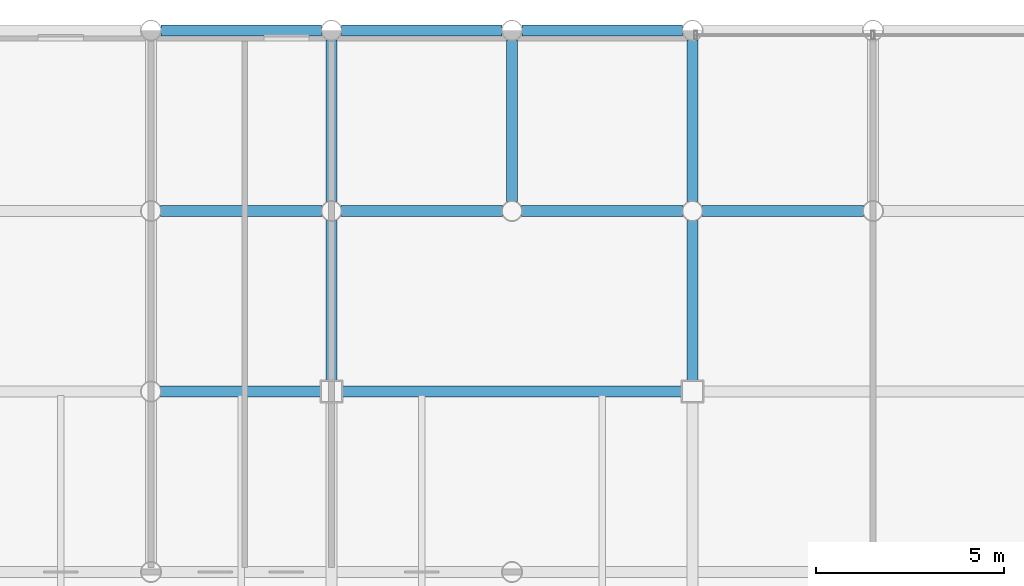
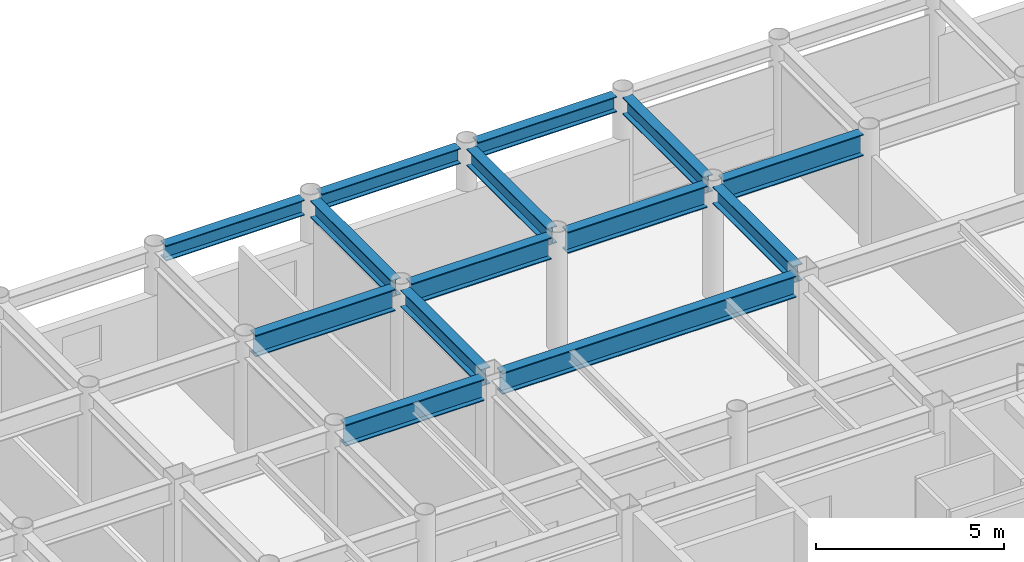
# One storey, part 13 of 22: 14 beams.
"""IFC4 building model written with IfcOpenShell, lengths in metres."""

from ifc_helpers import new_model, si_unit, direction, frame, origin, origin_2d, place, context, subcontext, project, spatial, i_section, extrude, material, material_profile, profile_set, type_object, element, save


model = new_model("IFC4")

# Units and contexts
model_context = context("Model", 3, precision=1e-05, world=origin(), true_north=direction((0.0, 1.0)))
body_context = subcontext(model_context, "Body", "Model", "MODEL_VIEW")
ifc_project = project(units=[si_unit("LENGTHUNIT", "METRE"), si_unit("AREAUNIT", "SQUARE_METRE"), si_unit("VOLUMEUNIT", "CUBIC_METRE"), si_unit("PLANEANGLEUNIT", "RADIAN"), si_unit("MASSUNIT", "GRAM", prefix="KILO")], contexts=[model_context])

# Site, building, storey
site_placement = place(None, origin())
site = spatial("IfcSite", under=ifc_project, at=site_placement, CompositionType="ELEMENT")
building_placement = place(site_placement, origin())
building = spatial("IfcBuilding", under=site, at=building_placement, Name="Kallvorn Hotel Tower", CompositionType="ELEMENT")
storey_placement = place(building_placement, frame((0.0, 0.0, 264.64990234375)))
storey = spatial("IfcBuildingStorey", under=building, at=storey_placement, Name="L66", CompositionType="ELEMENT", Elevation=264.64990234375)

# Beams
ifc_material_1 = material(Name="Structural steel S355JR", Category="steel")
ifc_material_profile_1 = material_profile(ifc_material_1, i_section(OverallWidth=0.300048828125, OverallDepth=0.5, WebThickness=0.014404296875, FlangeThickness=0.028076171875, at=origin_2d()), Name="HE 500 B")
ifc_profile_set_1 = profile_set([ifc_material_profile_1], Name="Structural steel S355JR")
beam_type_1 = type_object("IfcBeamType", Name="BM_HE500B", PredefinedType="SPANDREL", material=ifc_profile_set_1)
beam_1_placement = place(storey_placement, frame((-18.930419921875, 24.0, 3.420166015625), z_axis=(1.0, 0.0, 0.0), x_axis=(0.0, 1.0, 0.0)))
element("IfcBeam", 1, at=beam_1_placement, inside=storey, type_object=beam_type_1, Name="L67 Perimeter Spandrel 165", PredefinedType="SPANDREL", context=body_context, shape_type="SweptSolid", body=[
    extrude(i_section(OverallWidth=0.300048828125, OverallDepth=0.5, WebThickness=0.014404296875, FlangeThickness=0.028076171875, at=origin_2d()), origin(), (0.0, 0.0, 1.0), 4.260986328125),
])
beam_2_placement = place(storey_placement, frame((-14.130615234375, 24.0, 3.420166015625), z_axis=(1.0, 0.0, 0.0), x_axis=(0.0, 1.0, 0.0)))
element("IfcBeam", 2, at=beam_2_placement, inside=storey, type_object=beam_type_1, Name="L67 Perimeter Spandrel 166", PredefinedType="SPANDREL", context=body_context, shape_type="SweptSolid", body=[
    extrude(i_section(OverallWidth=0.300048828125, OverallDepth=0.5, WebThickness=0.014404296875, FlangeThickness=0.028076171875, at=origin_2d()), origin(), (0.0, 0.0, 1.0), 4.26123046875),
])
beam_3_placement = place(storey_placement, frame((-9.33056640625, 24.0, 3.420166015625), z_axis=(1.0, 0.0, 0.0), x_axis=(0.0, 1.0, 0.0)))
element("IfcBeam", 3, at=beam_3_placement, inside=storey, type_object=beam_type_1, Name="L67 Perimeter Spandrel 167", PredefinedType="SPANDREL", context=body_context, shape_type="SweptSolid", body=[
    extrude(i_section(OverallWidth=0.300048828125, OverallDepth=0.5, WebThickness=0.014404296875, FlangeThickness=0.028076171875, at=origin_2d()), origin(), (0.0, 0.0, 1.0), 4.260986328125),
])
ifc_material_2 = material(Name="Structural steel S355JR", Category="steel")
ifc_material_profile_2 = material_profile(ifc_material_2, i_section(OverallWidth=0.300048828125, OverallDepth=0.550048828125, WebThickness=0.014892578125, FlangeThickness=0.029052734375, at=origin_2d()), Name="HE 550 B")
ifc_profile_set_2 = profile_set([ifc_material_profile_2], Name="Structural steel S355JR")
beam_type_2 = type_object("IfcBeamType", Name="BM_HE550B", PredefinedType="SPANDREL", material=ifc_profile_set_2)
beam_4_placement = place(storey_placement, frame((-14.39990234375, 14.675048828125, 3.39501953125), z_axis=(0.0, 1.0, 0.0), x_axis=(-1.0, 0.0, 0.0)))
element("IfcBeam", 4, at=beam_4_placement, inside=storey, type_object=beam_type_2, Name="L67 Primary Y-Girder 101", PredefinedType="SPANDREL", context=body_context, shape_type="SweptSolid", body=[
    extrude(i_section(OverallWidth=0.300048828125, OverallDepth=0.550048828125, WebThickness=0.014892578125, FlangeThickness=0.029052734375, at=origin_2d()), origin(), (0.0, 0.0, 1.0), 4.2705078125),
])
for number, where, z_axis, x_axis, name in (
    (5, (-14.39990234375, 19.45458984375, 3.39501953125), (0.0, 1.0, 0.0), (-1.0, 0.0, 0.0), "L67 Primary Y-Girder 102"),
    (6, (-9.60009765625, 19.45458984375, 3.39501953125), (0.0, 1.0, 0.0), (-1.0, 0.0, 0.0), "L67 Primary Y-Girder 105"),
):
    element("IfcBeam", number, at=place(storey_placement, frame(where, z_axis=z_axis, x_axis=x_axis)), inside=storey, type_object=beam_type_2, Name=name, PredefinedType="SPANDREL", context=body_context, shape_type="SweptSolid", body=[
        extrude(i_section(OverallWidth=0.300048828125, OverallDepth=0.550048828125, WebThickness=0.014892578125, FlangeThickness=0.029052734375, at=origin_2d()), origin(), (0.0, 0.0, 1.0), 4.291015625),
    ])
beam_5_placement = place(storey_placement, frame((-4.800048828125, 14.675048828125, 3.39501953125), z_axis=(0.0, 1.0, 0.0), x_axis=(-1.0, 0.0, 0.0)))
element("IfcBeam", 7, at=beam_5_placement, inside=storey, type_object=beam_type_2, Name="L67 Primary Y-Girder 109", PredefinedType="SPANDREL", context=body_context, shape_type="SweptSolid", body=[
    extrude(i_section(OverallWidth=0.300048828125, OverallDepth=0.550048828125, WebThickness=0.014892578125, FlangeThickness=0.029052734375, at=origin_2d()), origin(), (0.0, 0.0, 1.0), 4.2705078125),
])
beam_6_placement = place(storey_placement, frame((-4.800048828125, 19.45458984375, 3.39501953125), z_axis=(0.0, 1.0, 0.0), x_axis=(-1.0, 0.0, 0.0)))
element("IfcBeam", 8, at=beam_6_placement, inside=storey, type_object=beam_type_2, Name="L67 Primary Y-Girder 110", PredefinedType="SPANDREL", context=body_context, shape_type="SweptSolid", body=[
    extrude(i_section(OverallWidth=0.300048828125, OverallDepth=0.550048828125, WebThickness=0.014892578125, FlangeThickness=0.029052734375, at=origin_2d()), origin(), (0.0, 0.0, 1.0), 4.291015625),
])
ifc_material_3 = material(Name="Structural steel S355JR", Category="steel")
ifc_material_profile_3 = material_profile(ifc_material_3, i_section(OverallWidth=0.300048828125, OverallDepth=0.699951171875, WebThickness=0.01708984375, FlangeThickness=0.031982421875, at=origin_2d()), Name="HE 700 B")
ifc_profile_set_3 = profile_set([ifc_material_profile_3], Name="Structural steel S355JR")
beam_type_3 = type_object("IfcBeamType", Name="BM_HE700B", PredefinedType="BEAM", material=ifc_profile_set_3)
beam_7_placement = place(storey_placement, frame((-18.945556640625, 14.39990234375, 3.320068359375), z_axis=(1.0, 0.0, 0.0), x_axis=(0.0, 1.0, 0.0)))
element("IfcBeam", 9, at=beam_7_placement, inside=storey, type_object=beam_type_3, Name="L67 Primary X-Girder 53", PredefinedType="BEAM", context=body_context, shape_type="SweptSolid", body=[
    extrude(i_section(OverallWidth=0.300048828125, OverallDepth=0.699951171875, WebThickness=0.01708984375, FlangeThickness=0.031982421875, at=origin_2d()), origin(), (0.0, 0.0, 1.0), 4.2705078125),
])
beam_8_placement = place(storey_placement, frame((-14.125, 14.39990234375, 3.320068359375), z_axis=(1.0, 0.0, 0.0), x_axis=(0.0, 1.0, 0.0)))
element("IfcBeam", 10, at=beam_8_placement, inside=storey, type_object=beam_type_3, Name="L67 Primary X-Girder 54", PredefinedType="BEAM", context=body_context, shape_type="SweptSolid", body=[
    extrude(i_section(OverallWidth=0.300048828125, OverallDepth=0.699951171875, WebThickness=0.01708984375, FlangeThickness=0.031982421875, at=origin_2d()), origin(), (0.0, 0.0, 1.0), 9.050048828125),
])
for number, where, z_axis, x_axis, name in (
    (11, (-18.945556640625, 19.199951171875, 3.320068359375), (1.0, 0.0, 0.0), (0.0, 1.0, 0.0), "L67 Primary X-Girder 63"),
    (12, (-14.1455078125, 19.199951171875, 3.320068359375), (1.0, 0.0, 0.0), (0.0, 1.0, 0.0), "L67 Primary X-Girder 64"),
    (13, (-9.345458984375, 19.199951171875, 3.320068359375), (1.0, 0.0, 0.0), (0.0, 1.0, 0.0), "L67 Primary X-Girder 65"),
    (14, (-4.54541015625, 19.199951171875, 3.320068359375), (1.0, 0.0, 0.0), (0.0, 1.0, 0.0), "L67 Primary X-Girder 66"),
):
    element("IfcBeam", number, at=place(storey_placement, frame(where, z_axis=z_axis, x_axis=x_axis)), inside=storey, type_object=beam_type_3, Name=name, PredefinedType="BEAM", context=body_context, shape_type="SweptSolid", body=[
        extrude(i_section(OverallWidth=0.300048828125, OverallDepth=0.699951171875, WebThickness=0.01708984375, FlangeThickness=0.031982421875, at=origin_2d()), origin(), (0.0, 0.0, 1.0), 4.291015625),
    ])

save(model, "model.ifc")
